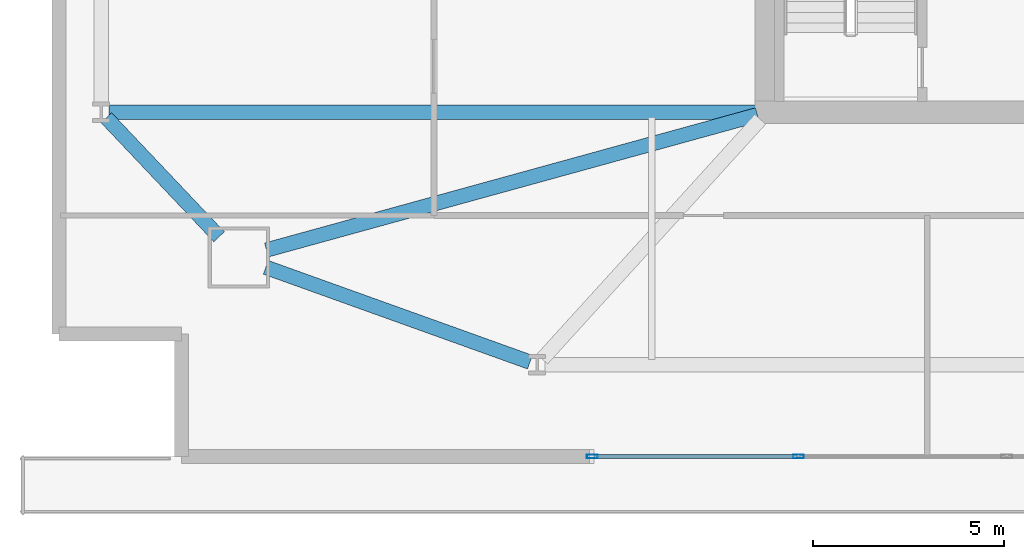
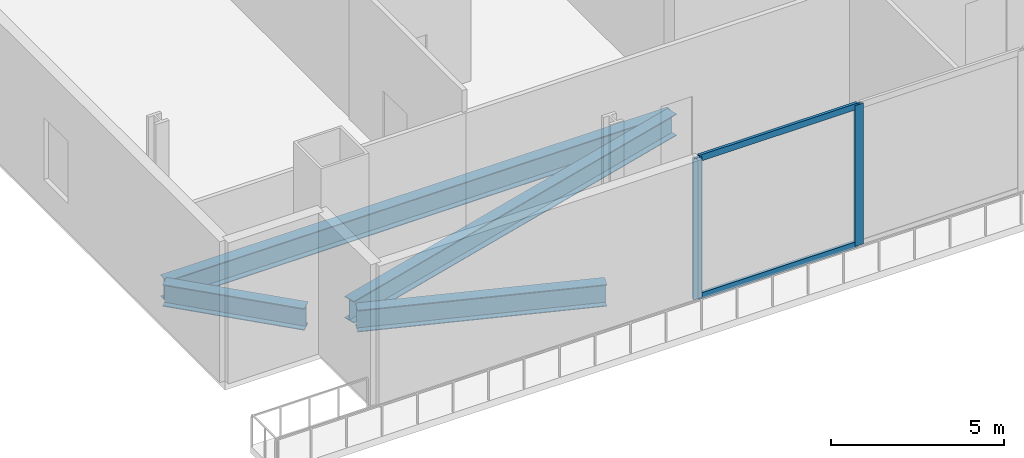
# One storey, part 2 of 16: 4 beams, 4 members, 1 element without a shape of its own.
"""IFC4 building model written with IfcOpenShell, lengths in metres."""

from ifc_helpers import new_model, si_unit, direction, frame, origin, origin_2d, place, context, subcontext, project, spatial, hollow_rectangle, i_section, extrude, material, material_profile, profile_set, type_object, element, aggregate, save


model = new_model("IFC4")

# Units and contexts
model_context = context("Model", 3, precision=1e-05, world=origin(), true_north=direction((0.0, 1.0)))
body_context = subcontext(model_context, "Body", "Model", "MODEL_VIEW")
ifc_project = project(units=[si_unit("LENGTHUNIT", "METRE"), si_unit("AREAUNIT", "SQUARE_METRE"), si_unit("VOLUMEUNIT", "CUBIC_METRE"), si_unit("PLANEANGLEUNIT", "RADIAN"), si_unit("MASSUNIT", "GRAM", prefix="KILO")], contexts=[model_context])

# Site, building, storey
site_placement = place(None, origin())
site = spatial("IfcSite", under=ifc_project, at=site_placement, CompositionType="ELEMENT")
building_placement = place(site_placement, origin())
building = spatial("IfcBuilding", under=site, at=building_placement, Name="Haldenkirk Collegiate Tower", CompositionType="ELEMENT")
storey_placement = place(building_placement, frame((0.0, 0.0, 16.800048828125)))
storey = spatial("IfcBuildingStorey", under=building, at=storey_placement, Name="L03", CompositionType="ELEMENT", Elevation=16.800048828125)

# Beams
ifc_material_1 = material(Name="Steel ASTM A992 Grade 50", Category="steel")
ifc_material_profile_1 = material_profile(ifc_material_1, i_section(OverallWidth=0.381103515625, OverallDepth=0.77294921875, WebThickness=0.0166015625, FlangeThickness=0.027099609375, at=origin_2d()), Name="W30X173")
ifc_profile_set_1 = profile_set([ifc_material_profile_1], Name="Steel ASTM A992 Grade 50")
beam_type = type_object("IfcBeamType", Name="BM-GIRDER-W30X173", PredefinedType="BEAM", material=ifc_profile_set_1)
beam_1_placement = place(storey_placement, frame((13.906005859375, 13.946533203125, -0.716552734375), z_axis=(0.941194128141, -0.337866265189, 0.0), x_axis=(0.337866265189, 0.941194128141, 0.0)))
element("IfcBeam", 1, at=beam_1_placement, inside=storey, type_object=beam_type, Name="L03 podium ring girder 01", PredefinedType="BEAM", context=body_context, shape_type="SweptSolid", body=[
    extrude(i_section(OverallWidth=0.381103515625, OverallDepth=0.77294921875, WebThickness=0.0166015625, FlangeThickness=0.027099609375, at=origin_2d()), origin(), (0.0, 0.0, 1.0), 7.337158203125),
])
beam_2_placement = place(storey_placement, frame((9.737548828125, 17.854736328125, -0.716552734375), z_axis=(0.687730422772, -0.725966160089, 0.0), x_axis=(0.725966160089, 0.687730422772, 0.0)))
element("IfcBeam", 2, at=beam_2_placement, inside=storey, type_object=beam_type, Name="L03 podium ring girder 14", PredefinedType="BEAM", context=body_context, shape_type="SweptSolid", body=[
    extrude(i_section(OverallWidth=0.381103515625, OverallDepth=0.77294921875, WebThickness=0.0166015625, FlangeThickness=0.027099609375, at=origin_2d()), origin(), (0.0, 0.0, 1.0), 4.284423828125),
])
beam_3_placement = place(storey_placement, frame((9.800048828125, 18.0, -0.716552734375), z_axis=(1.0, 0.0, 0.0), x_axis=(0.0, 1.0, 0.0)))
element("IfcBeam", 3, at=beam_3_placement, inside=storey, type_object=beam_type, Name="L03 podium radial girder 01", PredefinedType="BEAM", context=body_context, shape_type="SweptSolid", body=[
    extrude(i_section(OverallWidth=0.381103515625, OverallDepth=0.77294921875, WebThickness=0.0166015625, FlangeThickness=0.027099609375, at=origin_2d()), origin(), (0.0, 0.0, 1.0), 16.949951171875),
])
beam_4_placement = place(storey_placement, frame((13.923095703125, 14.399169921875, -0.716552734375), z_axis=(0.964118138457, 0.265473567606, 0.0), x_axis=(-0.265473567606, 0.964118138457, 0.0)))
element("IfcBeam", 4, at=beam_4_placement, inside=storey, type_object=beam_type, Name="L03 podium radial girder 11", PredefinedType="BEAM", context=body_context, shape_type="SweptSolid", body=[
    extrude(i_section(OverallWidth=0.381103515625, OverallDepth=0.77294921875, WebThickness=0.0166015625, FlangeThickness=0.027099609375, at=origin_2d()), origin(), (0.0, 0.0, 1.0), 13.313720703125),
])

# Curtain wall, members
ifc_material_2 = material(Name="Anodised architectural bronze aluminium", Category="aluminium")
curtain_wall_type = type_object("IfcCurtainWallType", Name="CW-SYS3-PODIUM", PredefinedType="USERDEFINED", material=ifc_material_2)
curtain_wall_placement = place(storey_placement, origin())
curtain_wall = element("IfcCurtainWall", 5, at=curtain_wall_placement, inside=storey, type_object=curtain_wall_type, Name="L03 Podium campus concourse and library storefront curtain wall", ObjectType="UNITISED CURTAIN WALL", PredefinedType="USERDEFINED")
ifc_material_profile_2 = material_profile(ifc_material_2, hollow_rectangle(XDim=0.094970703125, YDim=0.280029296875, WallThickness=0.0048828125, at=origin_2d()), Name="CW-MUL-03")
ifc_profile_set_2 = profile_set([ifc_material_profile_2], Name="Anodised architectural bronze aluminium")
member_type_1 = type_object("IfcMemberType", Name="CW-MUL-03", PredefinedType="MULLION", material=ifc_profile_set_2)
member_1_placement = place(storey_placement, frame((27.835205078125, 9.0, 0.0), z_axis=(0.0, 0.0, 1.0), x_axis=(0.0, -1.0, 0.0)))
member_1 = element("IfcMember", 6, at=member_1_placement, type_object=member_type_1, Name="CW-03 mullion 5", PredefinedType="MULLION", context=body_context, shape_type="SweptSolid", body=[
    extrude(hollow_rectangle(XDim=0.094970703125, YDim=0.280029296875, WallThickness=0.0048828125, at=origin_2d()), origin(), (0.0, 0.0, 1.0), 4.97998046875),
])
member_2_placement = place(storey_placement, frame((22.439453125, 9.0, 0.0), z_axis=(0.0, 0.0, 1.0), x_axis=(0.0, -1.0, 0.0)))
member_2 = element("IfcMember", 7, at=member_2_placement, type_object=member_type_1, Name="CW-03 mullion 6", PredefinedType="MULLION", context=body_context, shape_type="SweptSolid", body=[
    extrude(hollow_rectangle(XDim=0.094970703125, YDim=0.280029296875, WallThickness=0.0048828125, at=origin_2d()), origin(), (0.0, 0.0, 1.0), 4.97998046875),
])
ifc_material_profile_3 = material_profile(ifc_material_2, hollow_rectangle(XDim=0.094970703125, YDim=0.219970703125, WallThickness=0.0048828125, at=origin_2d()), Name="CW-TRN-03")
ifc_profile_set_3 = profile_set([ifc_material_profile_3], Name="Anodised architectural bronze aluminium")
member_type_2 = type_object("IfcMemberType", Name="CW-TRN-03", PredefinedType="USERDEFINED", material=ifc_profile_set_3)
member_3_placement = place(storey_placement, frame((27.78759765625, 9.0, 0.04736328125), z_axis=(-1.0, 0.0, 0.0), x_axis=(0.0, -1.0, 0.0)))
member_3 = element("IfcMember", 8, at=member_3_placement, type_object=member_type_2, Name="CW-03 transom 5.1", ObjectType="TRANSOM", PredefinedType="USERDEFINED", context=body_context, shape_type="SweptSolid", body=[
    extrude(hollow_rectangle(XDim=0.094970703125, YDim=0.219970703125, WallThickness=0.0048828125, at=origin_2d()), origin(), (0.0, 0.0, 1.0), 5.300537109375),
])
member_4_placement = place(storey_placement, frame((27.78759765625, 9.0, 4.932373046875), z_axis=(-1.0, 0.0, 0.0), x_axis=(0.0, -1.0, 0.0)))
member_4 = element("IfcMember", 9, at=member_4_placement, type_object=member_type_2, Name="CW-03 transom 5.2", ObjectType="TRANSOM", PredefinedType="USERDEFINED", context=body_context, shape_type="SweptSolid", body=[
    extrude(hollow_rectangle(XDim=0.094970703125, YDim=0.219970703125, WallThickness=0.0048828125, at=origin_2d()), origin(), (0.0, 0.0, 1.0), 5.300537109375),
])
aggregate(curtain_wall, [member_1, member_2, member_3, member_4])

save(model, "model.ifc")
